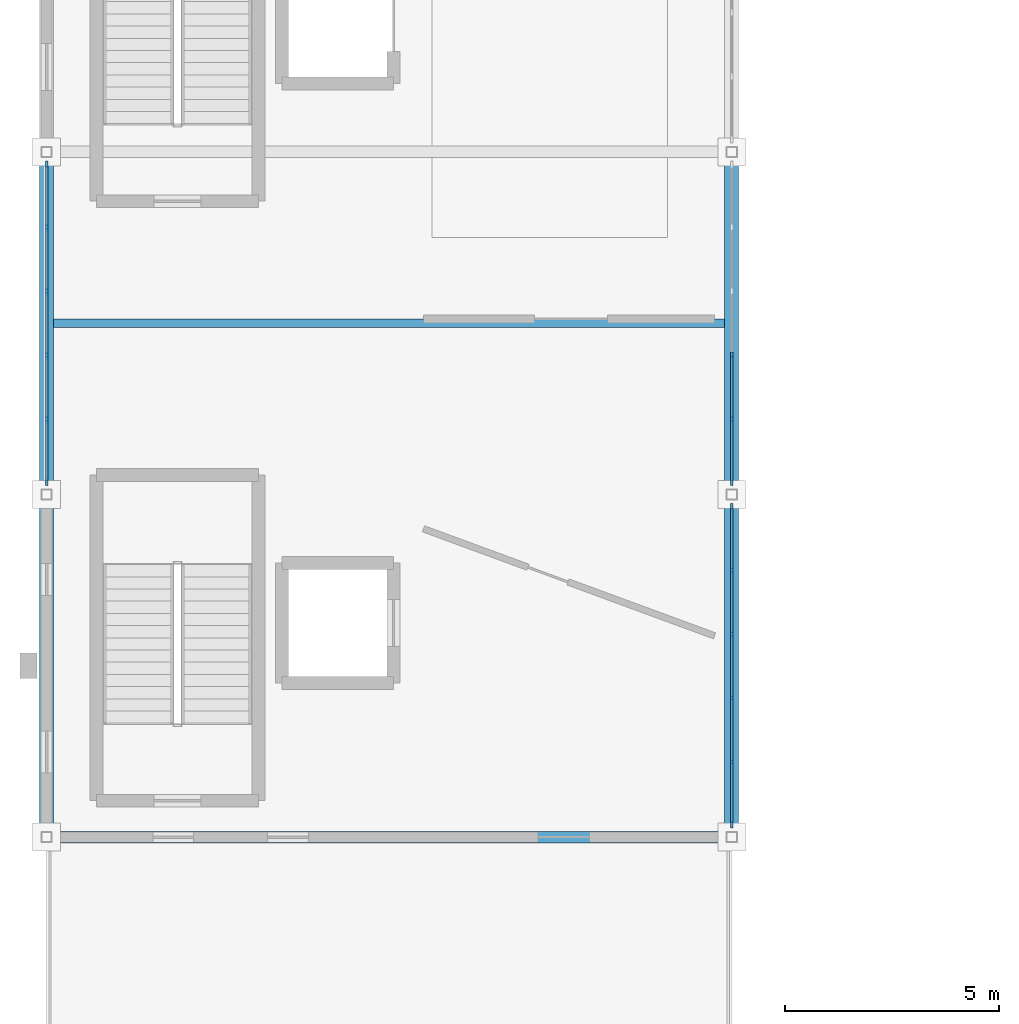
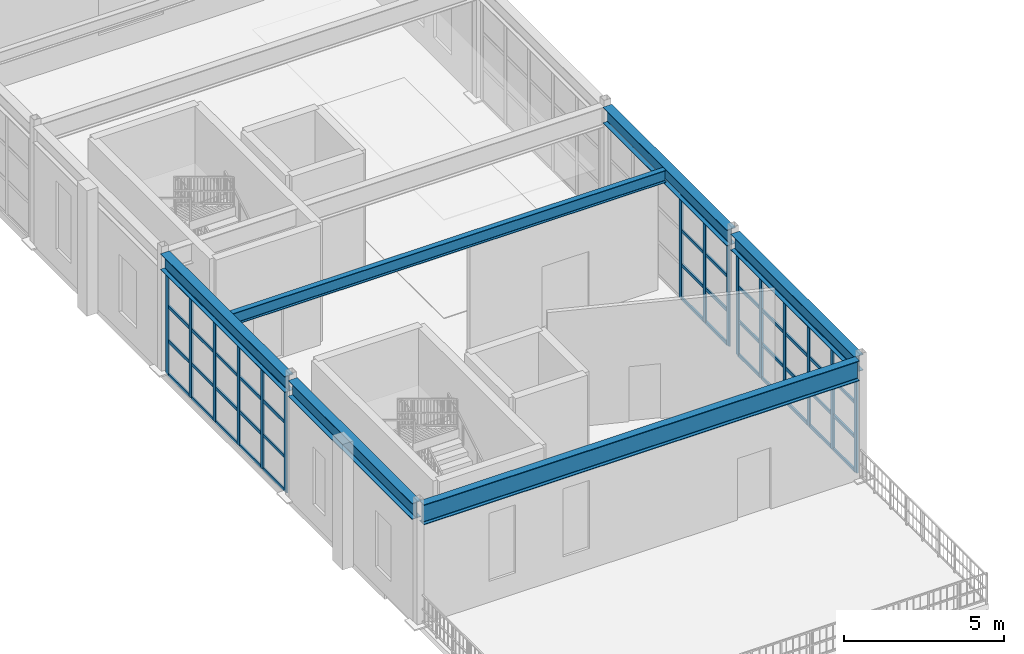
# One storey, part 10 of 61: 63 members, 6 beams, 3 elements without a shape of their own.
"""IFC4 building model written with IfcOpenShell, lengths in metres."""

from ifc_helpers import new_model, si_unit, direction, frame, origin, origin_2d, place, context, subcontext, project, spatial, rectangle, i_section, extrude, material, material_profile, profile_set, type_object, element, aggregate, save


model = new_model("IFC4")

# Units and contexts
model_context = context("Model", 3, precision=1e-05, world=origin(), true_north=direction((0.0, 1.0)))
body_context = subcontext(model_context, "Body", "Model", "MODEL_VIEW")
ifc_project = project(units=[si_unit("LENGTHUNIT", "METRE"), si_unit("AREAUNIT", "SQUARE_METRE"), si_unit("VOLUMEUNIT", "CUBIC_METRE"), si_unit("PLANEANGLEUNIT", "RADIAN"), si_unit("MASSUNIT", "GRAM", prefix="KILO")], contexts=[model_context])

# Site, building, storey
site_placement = place(None, origin())
site = spatial("IfcSite", under=ifc_project, at=site_placement, CompositionType="ELEMENT")
building_placement = place(site_placement, origin())
building = spatial("IfcBuilding", under=site, at=building_placement, Name="Serraluz Foothill Cableway Terminal", CompositionType="ELEMENT")
storey_placement = place(building_placement, frame((0.0, 0.0, 15.0)))
storey = spatial("IfcBuildingStorey", under=building, at=storey_placement, Name="L03", CompositionType="ELEMENT", Elevation=15.0)

# Beams
ifc_material_1 = material(Name="Steel ASTM A992 Grade 50", Category="steel")
ifc_material_profile_1 = material_profile(ifc_material_1, i_section(OverallWidth=0.324951171875, OverallDepth=0.615966796875, WebThickness=0.013916015625, FlangeThickness=0.021484375, FilletRadius=0.01806640625, at=origin_2d()), Name="W24X117")
ifc_profile_set_1 = profile_set([ifc_material_profile_1], Name="Steel ASTM A992 Grade 50")
beam_type_1 = type_object("IfcBeamType", Name="TYP-BM-W24X117", PredefinedType="BEAM", material=ifc_profile_set_1)
for number, where, z_axis, x_axis, name in (
    (1, (0.0, 32.12109375, 4.251953125), (0.0, 1.0, 0.0), (-1.0, 0.0, 0.0), "Transverse Girder BM-Y-L03-0377"),
    (2, (0.0, 40.12109375, 4.251953125), (0.0, 1.0, 0.0), (-1.0, 0.0, 0.0), "Transverse Girder BM-Y-L03-0378"),
    (3, (16.0, 32.12109375, 4.251953125), (0.0, 1.0, 0.0), (-1.0, 0.0, 0.0), "Transverse Girder BM-Y-L03-0381"),
    (4, (16.0, 40.12109375, 4.251953125), (0.0, 1.0, 0.0), (-1.0, 0.0, 0.0), "Transverse Girder BM-Y-L03-0382"),
):
    element("IfcBeam", number, at=place(storey_placement, frame(where, z_axis=z_axis, x_axis=x_axis)), inside=storey, type_object=beam_type_1, Name=name, PredefinedType="BEAM", context=body_context, shape_type="SweptSolid", body=[
        extrude(i_section(OverallWidth=0.324951171875, OverallDepth=0.615966796875, WebThickness=0.013916015625, FlangeThickness=0.021484375, FilletRadius=0.01806640625, at=origin_2d()), origin(), (0.0, 0.0, 1.0), 7.7578125),
    ])
ifc_material_profile_2 = material_profile(ifc_material_1, i_section(OverallWidth=0.26806640625, OverallDepth=0.77001953125, WebThickness=0.015625, FlangeThickness=0.025390625, FilletRadius=0.02197265625, at=origin_2d()), Name="W30X132")
ifc_profile_set_2 = profile_set([ifc_material_profile_2], Name="Steel ASTM A992 Grade 50")
beam_type_2 = type_object("IfcBeamType", Name="TYP-BM-W30X132", PredefinedType="BEAM", material=ifc_profile_set_2)
beam_1_placement = place(storey_placement, frame((0.12109375, 32.0, 4.175048828125), z_axis=(1.0, 0.0, 0.0), x_axis=(0.0, 1.0, 0.0)))
element("IfcBeam", 5, at=beam_1_placement, inside=storey, type_object=beam_type_2, Name="Primary Girder BM-X-L03-0345", PredefinedType="BEAM", context=body_context, shape_type="SweptSolid", body=[
    extrude(i_section(OverallWidth=0.26806640625, OverallDepth=0.77001953125, WebThickness=0.015625, FlangeThickness=0.025390625, FilletRadius=0.02197265625, at=origin_2d()), origin(), (0.0, 0.0, 1.0), 15.7578125),
])

# Curtain wall, members
ifc_material_2 = material(Name="Architectural bronze alloy C28000", Category="aluminium")
curtain_wall_type_1 = type_object("IfcCurtainWallType", Name="TYP-CW-680X420", PredefinedType="NOTDEFINED", material=ifc_material_2)
curtain_wall_1_placement = place(storey_placement, origin())
curtain_wall_1 = element("IfcCurtainWall", 6, at=curtain_wall_1_placement, inside=storey, type_object=curtain_wall_type_1, Name="Ribbed Glazed Curtain Wall CW-V5E-L03-32", PredefinedType="NOTDEFINED")
ifc_material_profile_3 = material_profile(ifc_material_2, rectangle(XDim=0.06005859375, YDim=0.159912109375, at=origin_2d()), Name="ALU MULLION 60x160")
ifc_profile_set_3 = profile_set([ifc_material_profile_3], Name="Architectural bronze alloy C28000")
member_type_1 = type_object("IfcMemberType", Name="TYP-CW-MUL-60X160", PredefinedType="MULLION", material=ifc_profile_set_3)
member_1_placement = place(storey_placement, frame((16.0, 39.705078125, 0.0), z_axis=(0.0, 0.0, 1.0), x_axis=(1.0, 0.0, 0.0)))
member_1 = element("IfcMember", 7, at=member_1_placement, type_object=member_type_1, Name="CW-13 mullion 1", PredefinedType="MULLION", context=body_context, shape_type="SweptSolid", body=[
    extrude(rectangle(XDim=0.06005859375, YDim=0.159912109375, at=origin_2d()), origin(), (0.0, 0.0, 1.0), 3.944091796875),
])
member_2_placement = place(storey_placement, frame((16.0, 38.240966796875, 0.0), z_axis=(0.0, 0.0, 1.0), x_axis=(1.0, 0.0, 0.0)))
member_2 = element("IfcMember", 8, at=member_2_placement, type_object=member_type_1, Name="CW-13 mullion 2", PredefinedType="MULLION", context=body_context, shape_type="SweptSolid", body=[
    extrude(rectangle(XDim=0.06005859375, YDim=0.159912109375, at=origin_2d()), origin(), (0.0, 0.0, 1.0), 3.944091796875),
])
member_3_placement = place(storey_placement, frame((16.0, 36.7470703125, 0.0), z_axis=(0.0, 0.0, 1.0), x_axis=(1.0, 0.0, 0.0)))
member_3 = element("IfcMember", 9, at=member_3_placement, type_object=member_type_1, Name="CW-13 mullion 3", PredefinedType="MULLION", context=body_context, shape_type="SweptSolid", body=[
    extrude(rectangle(XDim=0.06005859375, YDim=0.159912109375, at=origin_2d()), origin(), (0.0, 0.0, 1.0), 3.944091796875),
])
member_4_placement = place(storey_placement, frame((16.0, 35.2529296875, 0.0), z_axis=(0.0, 0.0, 1.0), x_axis=(1.0, 0.0, 0.0)))
member_4 = element("IfcMember", 10, at=member_4_placement, type_object=member_type_1, Name="CW-13 mullion 4", PredefinedType="MULLION", context=body_context, shape_type="SweptSolid", body=[
    extrude(rectangle(XDim=0.06005859375, YDim=0.159912109375, at=origin_2d()), origin(), (0.0, 0.0, 1.0), 3.944091796875),
])
member_5_placement = place(storey_placement, frame((16.0, 33.759033203125, 0.0), z_axis=(0.0, 0.0, 1.0), x_axis=(1.0, 0.0, 0.0)))
member_5 = element("IfcMember", 11, at=member_5_placement, type_object=member_type_1, Name="CW-13 mullion 5", PredefinedType="MULLION", context=body_context, shape_type="SweptSolid", body=[
    extrude(rectangle(XDim=0.06005859375, YDim=0.159912109375, at=origin_2d()), origin(), (0.0, 0.0, 1.0), 3.944091796875),
])
member_6_placement = place(storey_placement, frame((16.0, 32.294921875, 0.0), z_axis=(0.0, 0.0, 1.0), x_axis=(1.0, 0.0, 0.0)))
member_6 = element("IfcMember", 12, at=member_6_placement, type_object=member_type_1, Name="CW-13 mullion 6", PredefinedType="MULLION", context=body_context, shape_type="SweptSolid", body=[
    extrude(rectangle(XDim=0.06005859375, YDim=0.159912109375, at=origin_2d()), origin(), (0.0, 0.0, 1.0), 3.944091796875),
])

curtain_wall_type_2 = type_object("IfcCurtainWallType", Name="TYP-CW-520X440", PredefinedType="NOTDEFINED", material=ifc_material_2)
curtain_wall_2_placement = place(storey_placement, origin())
curtain_wall_2 = element("IfcCurtainWall", 13, at=curtain_wall_2_placement, inside=storey, type_object=curtain_wall_type_2, Name="Ribbed Glazed Curtain Wall CW-V5W-L03-40", PredefinedType="NOTDEFINED")
member_7_placement = place(storey_placement, frame((0.0, 40.294921875, 0.0), z_axis=(0.0, 0.0, 1.0), x_axis=(-1.0, 0.0, 0.0)))
member_7 = element("IfcMember", 14, at=member_7_placement, type_object=member_type_1, Name="CW-08 mullion 1", PredefinedType="MULLION", context=body_context, shape_type="SweptSolid", body=[
    extrude(rectangle(XDim=0.06005859375, YDim=0.159912109375, at=origin_2d()), origin(), (0.0, 0.0, 1.0), 3.944091796875),
])
member_8_placement = place(storey_placement, frame((0.0, 41.759033203125, 0.0), z_axis=(0.0, 0.0, 1.0), x_axis=(-1.0, 0.0, 0.0)))
member_8 = element("IfcMember", 15, at=member_8_placement, type_object=member_type_1, Name="CW-08 mullion 2", PredefinedType="MULLION", context=body_context, shape_type="SweptSolid", body=[
    extrude(rectangle(XDim=0.06005859375, YDim=0.159912109375, at=origin_2d()), origin(), (0.0, 0.0, 1.0), 3.944091796875),
])
member_9_placement = place(storey_placement, frame((0.0, 43.2529296875, 0.0), z_axis=(0.0, 0.0, 1.0), x_axis=(-1.0, 0.0, 0.0)))
member_9 = element("IfcMember", 16, at=member_9_placement, type_object=member_type_1, Name="CW-08 mullion 3", PredefinedType="MULLION", context=body_context, shape_type="SweptSolid", body=[
    extrude(rectangle(XDim=0.06005859375, YDim=0.159912109375, at=origin_2d()), origin(), (0.0, 0.0, 1.0), 3.944091796875),
])
member_10_placement = place(storey_placement, frame((0.0, 44.7470703125, 0.0), z_axis=(0.0, 0.0, 1.0), x_axis=(-1.0, 0.0, 0.0)))
member_10 = element("IfcMember", 17, at=member_10_placement, type_object=member_type_1, Name="CW-08 mullion 4", PredefinedType="MULLION", context=body_context, shape_type="SweptSolid", body=[
    extrude(rectangle(XDim=0.06005859375, YDim=0.159912109375, at=origin_2d()), origin(), (0.0, 0.0, 1.0), 3.944091796875),
])
member_11_placement = place(storey_placement, frame((0.0, 46.240966796875, 0.0), z_axis=(0.0, 0.0, 1.0), x_axis=(-1.0, 0.0, 0.0)))
member_11 = element("IfcMember", 18, at=member_11_placement, type_object=member_type_1, Name="CW-08 mullion 5", PredefinedType="MULLION", context=body_context, shape_type="SweptSolid", body=[
    extrude(rectangle(XDim=0.06005859375, YDim=0.159912109375, at=origin_2d()), origin(), (0.0, 0.0, 1.0), 3.944091796875),
])
member_12_placement = place(storey_placement, frame((0.0, 47.705078125, 0.0), z_axis=(0.0, 0.0, 1.0), x_axis=(-1.0, 0.0, 0.0)))
member_12 = element("IfcMember", 19, at=member_12_placement, type_object=member_type_1, Name="CW-08 mullion 6", PredefinedType="MULLION", context=body_context, shape_type="SweptSolid", body=[
    extrude(rectangle(XDim=0.06005859375, YDim=0.159912109375, at=origin_2d()), origin(), (0.0, 0.0, 1.0), 3.944091796875),
])

curtain_wall_type_3 = type_object("IfcCurtainWallType", Name="TYP-CW-480X380", PredefinedType="NOTDEFINED", material=ifc_material_2)
curtain_wall_3_placement = place(storey_placement, origin())
curtain_wall_3 = element("IfcCurtainWall", 20, at=curtain_wall_3_placement, inside=storey, type_object=curtain_wall_type_3, Name="Ribbed Glazed Curtain Wall CW-V5E-L03-40", PredefinedType="NOTDEFINED")
member_13_placement = place(storey_placement, frame((16.0, 43.2529296875, 0.0), z_axis=(0.0, 0.0, 1.0), x_axis=(1.0, 0.0, 0.0)))
member_13 = element("IfcMember", 21, at=member_13_placement, type_object=member_type_1, Name="CW-14 mullion 4", PredefinedType="MULLION", context=body_context, shape_type="SweptSolid", body=[
    extrude(rectangle(XDim=0.06005859375, YDim=0.159912109375, at=origin_2d()), origin(), (0.0, 0.0, 1.0), 3.944091796875),
])
member_14_placement = place(storey_placement, frame((16.0, 41.759033203125, 0.0), z_axis=(0.0, 0.0, 1.0), x_axis=(1.0, 0.0, 0.0)))
member_14 = element("IfcMember", 22, at=member_14_placement, type_object=member_type_1, Name="CW-14 mullion 5", PredefinedType="MULLION", context=body_context, shape_type="SweptSolid", body=[
    extrude(rectangle(XDim=0.06005859375, YDim=0.159912109375, at=origin_2d()), origin(), (0.0, 0.0, 1.0), 3.944091796875),
])
member_15_placement = place(storey_placement, frame((16.0, 40.294921875, 0.0), z_axis=(0.0, 0.0, 1.0), x_axis=(1.0, 0.0, 0.0)))
member_15 = element("IfcMember", 23, at=member_15_placement, type_object=member_type_1, Name="CW-14 mullion 6", PredefinedType="MULLION", context=body_context, shape_type="SweptSolid", body=[
    extrude(rectangle(XDim=0.06005859375, YDim=0.159912109375, at=origin_2d()), origin(), (0.0, 0.0, 1.0), 3.944091796875),
])

# Member
ifc_material_profile_4 = material_profile(ifc_material_2, rectangle(XDim=0.06005859375, YDim=0.1201171875, at=origin_2d()), Name="ALU TRANSOM 60x120")
ifc_profile_set_4 = profile_set([ifc_material_profile_4], Name="Architectural bronze alloy C28000")
member_type_2 = type_object("IfcMemberType", Name="TYP-CW-TRN-60X120", PredefinedType="USERDEFINED", material=ifc_profile_set_4)
member_16_placement = place(storey_placement, frame((16.0, 39.675048828125, 0.030029296875), z_axis=(0.0, -1.0, 0.0), x_axis=(1.0, 0.0, 0.0)))
member_16 = element("IfcMember", 24, at=member_16_placement, type_object=member_type_2, Name="CW-13 transom 1.1", ObjectType="TRANSOM", PredefinedType="USERDEFINED", context=body_context, shape_type="SweptSolid", body=[
    extrude(rectangle(XDim=0.06005859375, YDim=0.1201171875, at=origin_2d()), origin(), (0.0, 0.0, 1.0), 1.404052734375),
])

member_17_placement = place(storey_placement, frame((16.0, 39.675048828125, 1.314697265625), z_axis=(0.0, -1.0, 0.0), x_axis=(1.0, 0.0, 0.0)))
member_17 = element("IfcMember", 25, at=member_17_placement, type_object=member_type_2, Name="CW-13 transom 1.2", ObjectType="TRANSOM", PredefinedType="USERDEFINED", context=body_context, shape_type="SweptSolid", body=[
    extrude(rectangle(XDim=0.06005859375, YDim=0.1201171875, at=origin_2d()), origin(), (0.0, 0.0, 1.0), 1.404052734375),
])

member_18_placement = place(storey_placement, frame((16.0, 39.675048828125, 2.62939453125), z_axis=(0.0, -1.0, 0.0), x_axis=(1.0, 0.0, 0.0)))
member_18 = element("IfcMember", 26, at=member_18_placement, type_object=member_type_2, Name="CW-13 transom 1.3", ObjectType="TRANSOM", PredefinedType="USERDEFINED", context=body_context, shape_type="SweptSolid", body=[
    extrude(rectangle(XDim=0.06005859375, YDim=0.1201171875, at=origin_2d()), origin(), (0.0, 0.0, 1.0), 1.404052734375),
])

member_19_placement = place(storey_placement, frame((16.0, 39.675048828125, 3.9140625), z_axis=(0.0, -1.0, 0.0), x_axis=(1.0, 0.0, 0.0)))
member_19 = element("IfcMember", 27, at=member_19_placement, type_object=member_type_2, Name="CW-13 transom 1.4", ObjectType="TRANSOM", PredefinedType="USERDEFINED", context=body_context, shape_type="SweptSolid", body=[
    extrude(rectangle(XDim=0.06005859375, YDim=0.1201171875, at=origin_2d()), origin(), (0.0, 0.0, 1.0), 1.404052734375),
])

member_20_placement = place(storey_placement, frame((16.0, 38.2109375, 0.030029296875), z_axis=(0.0, -1.0, 0.0), x_axis=(1.0, 0.0, 0.0)))
member_20 = element("IfcMember", 28, at=member_20_placement, type_object=member_type_2, Name="CW-13 transom 2.1", ObjectType="TRANSOM", PredefinedType="USERDEFINED", context=body_context, shape_type="SweptSolid", body=[
    extrude(rectangle(XDim=0.06005859375, YDim=0.1201171875, at=origin_2d()), origin(), (0.0, 0.0, 1.0), 1.433837890625),
])

member_21_placement = place(storey_placement, frame((16.0, 38.2109375, 1.314697265625), z_axis=(0.0, -1.0, 0.0), x_axis=(1.0, 0.0, 0.0)))
member_21 = element("IfcMember", 29, at=member_21_placement, type_object=member_type_2, Name="CW-13 transom 2.2", ObjectType="TRANSOM", PredefinedType="USERDEFINED", context=body_context, shape_type="SweptSolid", body=[
    extrude(rectangle(XDim=0.06005859375, YDim=0.1201171875, at=origin_2d()), origin(), (0.0, 0.0, 1.0), 1.433837890625),
])

member_22_placement = place(storey_placement, frame((16.0, 38.2109375, 2.62939453125), z_axis=(0.0, -1.0, 0.0), x_axis=(1.0, 0.0, 0.0)))
member_22 = element("IfcMember", 30, at=member_22_placement, type_object=member_type_2, Name="CW-13 transom 2.3", ObjectType="TRANSOM", PredefinedType="USERDEFINED", context=body_context, shape_type="SweptSolid", body=[
    extrude(rectangle(XDim=0.06005859375, YDim=0.1201171875, at=origin_2d()), origin(), (0.0, 0.0, 1.0), 1.433837890625),
])

member_23_placement = place(storey_placement, frame((16.0, 38.2109375, 3.9140625), z_axis=(0.0, -1.0, 0.0), x_axis=(1.0, 0.0, 0.0)))
member_23 = element("IfcMember", 31, at=member_23_placement, type_object=member_type_2, Name="CW-13 transom 2.4", ObjectType="TRANSOM", PredefinedType="USERDEFINED", context=body_context, shape_type="SweptSolid", body=[
    extrude(rectangle(XDim=0.06005859375, YDim=0.1201171875, at=origin_2d()), origin(), (0.0, 0.0, 1.0), 1.433837890625),
])

member_24_placement = place(storey_placement, frame((16.0, 36.717041015625, 0.030029296875), z_axis=(0.0, -1.0, 0.0), x_axis=(1.0, 0.0, 0.0)))
member_24 = element("IfcMember", 32, at=member_24_placement, type_object=member_type_2, Name="CW-13 transom 3.1", ObjectType="TRANSOM", PredefinedType="USERDEFINED", context=body_context, shape_type="SweptSolid", body=[
    extrude(rectangle(XDim=0.06005859375, YDim=0.1201171875, at=origin_2d()), origin(), (0.0, 0.0, 1.0), 1.43408203125),
])

member_25_placement = place(storey_placement, frame((16.0, 36.717041015625, 1.314697265625), z_axis=(0.0, -1.0, 0.0), x_axis=(1.0, 0.0, 0.0)))
member_25 = element("IfcMember", 33, at=member_25_placement, type_object=member_type_2, Name="CW-13 transom 3.2", ObjectType="TRANSOM", PredefinedType="USERDEFINED", context=body_context, shape_type="SweptSolid", body=[
    extrude(rectangle(XDim=0.06005859375, YDim=0.1201171875, at=origin_2d()), origin(), (0.0, 0.0, 1.0), 1.43408203125),
])

member_26_placement = place(storey_placement, frame((16.0, 36.717041015625, 2.62939453125), z_axis=(0.0, -1.0, 0.0), x_axis=(1.0, 0.0, 0.0)))
member_26 = element("IfcMember", 34, at=member_26_placement, type_object=member_type_2, Name="CW-13 transom 3.3", ObjectType="TRANSOM", PredefinedType="USERDEFINED", context=body_context, shape_type="SweptSolid", body=[
    extrude(rectangle(XDim=0.06005859375, YDim=0.1201171875, at=origin_2d()), origin(), (0.0, 0.0, 1.0), 1.43408203125),
])

member_27_placement = place(storey_placement, frame((16.0, 36.717041015625, 3.9140625), z_axis=(0.0, -1.0, 0.0), x_axis=(1.0, 0.0, 0.0)))
member_27 = element("IfcMember", 35, at=member_27_placement, type_object=member_type_2, Name="CW-13 transom 3.4", ObjectType="TRANSOM", PredefinedType="USERDEFINED", context=body_context, shape_type="SweptSolid", body=[
    extrude(rectangle(XDim=0.06005859375, YDim=0.1201171875, at=origin_2d()), origin(), (0.0, 0.0, 1.0), 1.43408203125),
])

member_28_placement = place(storey_placement, frame((16.0, 35.222900390625, 0.030029296875), z_axis=(0.0, -1.0, 0.0), x_axis=(1.0, 0.0, 0.0)))
member_28 = element("IfcMember", 36, at=member_28_placement, type_object=member_type_2, Name="CW-13 transom 4.1", ObjectType="TRANSOM", PredefinedType="USERDEFINED", context=body_context, shape_type="SweptSolid", body=[
    extrude(rectangle(XDim=0.06005859375, YDim=0.1201171875, at=origin_2d()), origin(), (0.0, 0.0, 1.0), 1.433837890625),
])

member_29_placement = place(storey_placement, frame((16.0, 35.222900390625, 1.314697265625), z_axis=(0.0, -1.0, 0.0), x_axis=(1.0, 0.0, 0.0)))
member_29 = element("IfcMember", 37, at=member_29_placement, type_object=member_type_2, Name="CW-13 transom 4.2", ObjectType="TRANSOM", PredefinedType="USERDEFINED", context=body_context, shape_type="SweptSolid", body=[
    extrude(rectangle(XDim=0.06005859375, YDim=0.1201171875, at=origin_2d()), origin(), (0.0, 0.0, 1.0), 1.433837890625),
])

member_30_placement = place(storey_placement, frame((16.0, 35.222900390625, 2.62939453125), z_axis=(0.0, -1.0, 0.0), x_axis=(1.0, 0.0, 0.0)))
member_30 = element("IfcMember", 38, at=member_30_placement, type_object=member_type_2, Name="CW-13 transom 4.3", ObjectType="TRANSOM", PredefinedType="USERDEFINED", context=body_context, shape_type="SweptSolid", body=[
    extrude(rectangle(XDim=0.06005859375, YDim=0.1201171875, at=origin_2d()), origin(), (0.0, 0.0, 1.0), 1.433837890625),
])

member_31_placement = place(storey_placement, frame((16.0, 35.222900390625, 3.9140625), z_axis=(0.0, -1.0, 0.0), x_axis=(1.0, 0.0, 0.0)))
member_31 = element("IfcMember", 39, at=member_31_placement, type_object=member_type_2, Name="CW-13 transom 4.4", ObjectType="TRANSOM", PredefinedType="USERDEFINED", context=body_context, shape_type="SweptSolid", body=[
    extrude(rectangle(XDim=0.06005859375, YDim=0.1201171875, at=origin_2d()), origin(), (0.0, 0.0, 1.0), 1.433837890625),
])

member_32_placement = place(storey_placement, frame((16.0, 33.72900390625, 0.030029296875), z_axis=(0.0, -1.0, 0.0), x_axis=(1.0, 0.0, 0.0)))
member_32 = element("IfcMember", 40, at=member_32_placement, type_object=member_type_2, Name="CW-13 transom 5.1", ObjectType="TRANSOM", PredefinedType="USERDEFINED", context=body_context, shape_type="SweptSolid", body=[
    extrude(rectangle(XDim=0.06005859375, YDim=0.1201171875, at=origin_2d()), origin(), (0.0, 0.0, 1.0), 1.404052734375),
])

member_33_placement = place(storey_placement, frame((16.0, 33.72900390625, 1.314697265625), z_axis=(0.0, -1.0, 0.0), x_axis=(1.0, 0.0, 0.0)))
member_33 = element("IfcMember", 41, at=member_33_placement, type_object=member_type_2, Name="CW-13 transom 5.2", ObjectType="TRANSOM", PredefinedType="USERDEFINED", context=body_context, shape_type="SweptSolid", body=[
    extrude(rectangle(XDim=0.06005859375, YDim=0.1201171875, at=origin_2d()), origin(), (0.0, 0.0, 1.0), 1.404052734375),
])

member_34_placement = place(storey_placement, frame((16.0, 33.72900390625, 2.62939453125), z_axis=(0.0, -1.0, 0.0), x_axis=(1.0, 0.0, 0.0)))
member_34 = element("IfcMember", 42, at=member_34_placement, type_object=member_type_2, Name="CW-13 transom 5.3", ObjectType="TRANSOM", PredefinedType="USERDEFINED", context=body_context, shape_type="SweptSolid", body=[
    extrude(rectangle(XDim=0.06005859375, YDim=0.1201171875, at=origin_2d()), origin(), (0.0, 0.0, 1.0), 1.404052734375),
])

member_35_placement = place(storey_placement, frame((16.0, 33.72900390625, 3.9140625), z_axis=(0.0, -1.0, 0.0), x_axis=(1.0, 0.0, 0.0)))
member_35 = element("IfcMember", 43, at=member_35_placement, type_object=member_type_2, Name="CW-13 transom 5.4", ObjectType="TRANSOM", PredefinedType="USERDEFINED", context=body_context, shape_type="SweptSolid", body=[
    extrude(rectangle(XDim=0.06005859375, YDim=0.1201171875, at=origin_2d()), origin(), (0.0, 0.0, 1.0), 1.404052734375),
])

aggregate(curtain_wall_1, [member_1, member_2, member_3, member_4, member_5, member_6, member_16, member_17, member_18, member_19, member_20, member_21, member_22, member_23, member_24, member_25, member_26, member_27, member_28, member_29, member_30, member_31, member_32, member_33, member_34, member_35])

member_36_placement = place(storey_placement, frame((0.0, 40.324951171875, 0.030029296875), z_axis=(0.0, 1.0, 0.0), x_axis=(-1.0, 0.0, 0.0)))
member_36 = element("IfcMember", 44, at=member_36_placement, type_object=member_type_2, Name="CW-08 transom 1.1", ObjectType="TRANSOM", PredefinedType="USERDEFINED", context=body_context, shape_type="SweptSolid", body=[
    extrude(rectangle(XDim=0.06005859375, YDim=0.1201171875, at=origin_2d()), origin(), (0.0, 0.0, 1.0), 1.404052734375),
])

member_37_placement = place(storey_placement, frame((0.0, 40.324951171875, 1.314697265625), z_axis=(0.0, 1.0, 0.0), x_axis=(-1.0, 0.0, 0.0)))
member_37 = element("IfcMember", 45, at=member_37_placement, type_object=member_type_2, Name="CW-08 transom 1.2", ObjectType="TRANSOM", PredefinedType="USERDEFINED", context=body_context, shape_type="SweptSolid", body=[
    extrude(rectangle(XDim=0.06005859375, YDim=0.1201171875, at=origin_2d()), origin(), (0.0, 0.0, 1.0), 1.404052734375),
])

member_38_placement = place(storey_placement, frame((0.0, 40.324951171875, 2.62939453125), z_axis=(0.0, 1.0, 0.0), x_axis=(-1.0, 0.0, 0.0)))
member_38 = element("IfcMember", 46, at=member_38_placement, type_object=member_type_2, Name="CW-08 transom 1.3", ObjectType="TRANSOM", PredefinedType="USERDEFINED", context=body_context, shape_type="SweptSolid", body=[
    extrude(rectangle(XDim=0.06005859375, YDim=0.1201171875, at=origin_2d()), origin(), (0.0, 0.0, 1.0), 1.404052734375),
])

member_39_placement = place(storey_placement, frame((0.0, 40.324951171875, 3.9140625), z_axis=(0.0, 1.0, 0.0), x_axis=(-1.0, 0.0, 0.0)))
member_39 = element("IfcMember", 47, at=member_39_placement, type_object=member_type_2, Name="CW-08 transom 1.4", ObjectType="TRANSOM", PredefinedType="USERDEFINED", context=body_context, shape_type="SweptSolid", body=[
    extrude(rectangle(XDim=0.06005859375, YDim=0.1201171875, at=origin_2d()), origin(), (0.0, 0.0, 1.0), 1.404052734375),
])

member_40_placement = place(storey_placement, frame((0.0, 41.7890625, 0.030029296875), z_axis=(0.0, 1.0, 0.0), x_axis=(-1.0, 0.0, 0.0)))
member_40 = element("IfcMember", 48, at=member_40_placement, type_object=member_type_2, Name="CW-08 transom 2.1", ObjectType="TRANSOM", PredefinedType="USERDEFINED", context=body_context, shape_type="SweptSolid", body=[
    extrude(rectangle(XDim=0.06005859375, YDim=0.1201171875, at=origin_2d()), origin(), (0.0, 0.0, 1.0), 1.433837890625),
])

member_41_placement = place(storey_placement, frame((0.0, 41.7890625, 1.314697265625), z_axis=(0.0, 1.0, 0.0), x_axis=(-1.0, 0.0, 0.0)))
member_41 = element("IfcMember", 49, at=member_41_placement, type_object=member_type_2, Name="CW-08 transom 2.2", ObjectType="TRANSOM", PredefinedType="USERDEFINED", context=body_context, shape_type="SweptSolid", body=[
    extrude(rectangle(XDim=0.06005859375, YDim=0.1201171875, at=origin_2d()), origin(), (0.0, 0.0, 1.0), 1.433837890625),
])

member_42_placement = place(storey_placement, frame((0.0, 41.7890625, 2.62939453125), z_axis=(0.0, 1.0, 0.0), x_axis=(-1.0, 0.0, 0.0)))
member_42 = element("IfcMember", 50, at=member_42_placement, type_object=member_type_2, Name="CW-08 transom 2.3", ObjectType="TRANSOM", PredefinedType="USERDEFINED", context=body_context, shape_type="SweptSolid", body=[
    extrude(rectangle(XDim=0.06005859375, YDim=0.1201171875, at=origin_2d()), origin(), (0.0, 0.0, 1.0), 1.433837890625),
])

member_43_placement = place(storey_placement, frame((0.0, 41.7890625, 3.9140625), z_axis=(0.0, 1.0, 0.0), x_axis=(-1.0, 0.0, 0.0)))
member_43 = element("IfcMember", 51, at=member_43_placement, type_object=member_type_2, Name="CW-08 transom 2.4", ObjectType="TRANSOM", PredefinedType="USERDEFINED", context=body_context, shape_type="SweptSolid", body=[
    extrude(rectangle(XDim=0.06005859375, YDim=0.1201171875, at=origin_2d()), origin(), (0.0, 0.0, 1.0), 1.433837890625),
])

member_44_placement = place(storey_placement, frame((0.0, 43.282958984375, 0.030029296875), z_axis=(0.0, 1.0, 0.0), x_axis=(-1.0, 0.0, 0.0)))
member_44 = element("IfcMember", 52, at=member_44_placement, type_object=member_type_2, Name="CW-08 transom 3.1", ObjectType="TRANSOM", PredefinedType="USERDEFINED", context=body_context, shape_type="SweptSolid", body=[
    extrude(rectangle(XDim=0.06005859375, YDim=0.1201171875, at=origin_2d()), origin(), (0.0, 0.0, 1.0), 1.43408203125),
])

member_45_placement = place(storey_placement, frame((0.0, 43.282958984375, 1.314697265625), z_axis=(0.0, 1.0, 0.0), x_axis=(-1.0, 0.0, 0.0)))
member_45 = element("IfcMember", 53, at=member_45_placement, type_object=member_type_2, Name="CW-08 transom 3.2", ObjectType="TRANSOM", PredefinedType="USERDEFINED", context=body_context, shape_type="SweptSolid", body=[
    extrude(rectangle(XDim=0.06005859375, YDim=0.1201171875, at=origin_2d()), origin(), (0.0, 0.0, 1.0), 1.43408203125),
])

member_46_placement = place(storey_placement, frame((0.0, 43.282958984375, 2.62939453125), z_axis=(0.0, 1.0, 0.0), x_axis=(-1.0, 0.0, 0.0)))
member_46 = element("IfcMember", 54, at=member_46_placement, type_object=member_type_2, Name="CW-08 transom 3.3", ObjectType="TRANSOM", PredefinedType="USERDEFINED", context=body_context, shape_type="SweptSolid", body=[
    extrude(rectangle(XDim=0.06005859375, YDim=0.1201171875, at=origin_2d()), origin(), (0.0, 0.0, 1.0), 1.43408203125),
])

member_47_placement = place(storey_placement, frame((0.0, 43.282958984375, 3.9140625), z_axis=(0.0, 1.0, 0.0), x_axis=(-1.0, 0.0, 0.0)))
member_47 = element("IfcMember", 55, at=member_47_placement, type_object=member_type_2, Name="CW-08 transom 3.4", ObjectType="TRANSOM", PredefinedType="USERDEFINED", context=body_context, shape_type="SweptSolid", body=[
    extrude(rectangle(XDim=0.06005859375, YDim=0.1201171875, at=origin_2d()), origin(), (0.0, 0.0, 1.0), 1.43408203125),
])

member_48_placement = place(storey_placement, frame((0.0, 44.777099609375, 0.030029296875), z_axis=(0.0, 1.0, 0.0), x_axis=(-1.0, 0.0, 0.0)))
member_48 = element("IfcMember", 56, at=member_48_placement, type_object=member_type_2, Name="CW-08 transom 4.1", ObjectType="TRANSOM", PredefinedType="USERDEFINED", context=body_context, shape_type="SweptSolid", body=[
    extrude(rectangle(XDim=0.06005859375, YDim=0.1201171875, at=origin_2d()), origin(), (0.0, 0.0, 1.0), 1.433837890625),
])

member_49_placement = place(storey_placement, frame((0.0, 44.777099609375, 1.314697265625), z_axis=(0.0, 1.0, 0.0), x_axis=(-1.0, 0.0, 0.0)))
member_49 = element("IfcMember", 57, at=member_49_placement, type_object=member_type_2, Name="CW-08 transom 4.2", ObjectType="TRANSOM", PredefinedType="USERDEFINED", context=body_context, shape_type="SweptSolid", body=[
    extrude(rectangle(XDim=0.06005859375, YDim=0.1201171875, at=origin_2d()), origin(), (0.0, 0.0, 1.0), 1.433837890625),
])

member_50_placement = place(storey_placement, frame((0.0, 44.777099609375, 2.62939453125), z_axis=(0.0, 1.0, 0.0), x_axis=(-1.0, 0.0, 0.0)))
member_50 = element("IfcMember", 58, at=member_50_placement, type_object=member_type_2, Name="CW-08 transom 4.3", ObjectType="TRANSOM", PredefinedType="USERDEFINED", context=body_context, shape_type="SweptSolid", body=[
    extrude(rectangle(XDim=0.06005859375, YDim=0.1201171875, at=origin_2d()), origin(), (0.0, 0.0, 1.0), 1.433837890625),
])

member_51_placement = place(storey_placement, frame((0.0, 44.777099609375, 3.9140625), z_axis=(0.0, 1.0, 0.0), x_axis=(-1.0, 0.0, 0.0)))
member_51 = element("IfcMember", 59, at=member_51_placement, type_object=member_type_2, Name="CW-08 transom 4.4", ObjectType="TRANSOM", PredefinedType="USERDEFINED", context=body_context, shape_type="SweptSolid", body=[
    extrude(rectangle(XDim=0.06005859375, YDim=0.1201171875, at=origin_2d()), origin(), (0.0, 0.0, 1.0), 1.433837890625),
])

member_52_placement = place(storey_placement, frame((0.0, 46.27099609375, 0.030029296875), z_axis=(0.0, 1.0, 0.0), x_axis=(-1.0, 0.0, 0.0)))
member_52 = element("IfcMember", 60, at=member_52_placement, type_object=member_type_2, Name="CW-08 transom 5.1", ObjectType="TRANSOM", PredefinedType="USERDEFINED", context=body_context, shape_type="SweptSolid", body=[
    extrude(rectangle(XDim=0.06005859375, YDim=0.1201171875, at=origin_2d()), origin(), (0.0, 0.0, 1.0), 1.404052734375),
])

member_53_placement = place(storey_placement, frame((0.0, 46.27099609375, 1.314697265625), z_axis=(0.0, 1.0, 0.0), x_axis=(-1.0, 0.0, 0.0)))
member_53 = element("IfcMember", 61, at=member_53_placement, type_object=member_type_2, Name="CW-08 transom 5.2", ObjectType="TRANSOM", PredefinedType="USERDEFINED", context=body_context, shape_type="SweptSolid", body=[
    extrude(rectangle(XDim=0.06005859375, YDim=0.1201171875, at=origin_2d()), origin(), (0.0, 0.0, 1.0), 1.404052734375),
])

member_54_placement = place(storey_placement, frame((0.0, 46.27099609375, 2.62939453125), z_axis=(0.0, 1.0, 0.0), x_axis=(-1.0, 0.0, 0.0)))
member_54 = element("IfcMember", 62, at=member_54_placement, type_object=member_type_2, Name="CW-08 transom 5.3", ObjectType="TRANSOM", PredefinedType="USERDEFINED", context=body_context, shape_type="SweptSolid", body=[
    extrude(rectangle(XDim=0.06005859375, YDim=0.1201171875, at=origin_2d()), origin(), (0.0, 0.0, 1.0), 1.404052734375),
])

member_55_placement = place(storey_placement, frame((0.0, 46.27099609375, 3.9140625), z_axis=(0.0, 1.0, 0.0), x_axis=(-1.0, 0.0, 0.0)))
member_55 = element("IfcMember", 63, at=member_55_placement, type_object=member_type_2, Name="CW-08 transom 5.4", ObjectType="TRANSOM", PredefinedType="USERDEFINED", context=body_context, shape_type="SweptSolid", body=[
    extrude(rectangle(XDim=0.06005859375, YDim=0.1201171875, at=origin_2d()), origin(), (0.0, 0.0, 1.0), 1.404052734375),
])

aggregate(curtain_wall_2, [member_7, member_8, member_9, member_10, member_11, member_12, member_36, member_37, member_38, member_39, member_40, member_41, member_42, member_43, member_44, member_45, member_46, member_47, member_48, member_49, member_50, member_51, member_52, member_53, member_54, member_55])

member_56_placement = place(storey_placement, frame((16.0, 43.222900390625, 0.030029296875), z_axis=(0.0, -1.0, 0.0), x_axis=(1.0, 0.0, 0.0)))
member_56 = element("IfcMember", 64, at=member_56_placement, type_object=member_type_2, Name="CW-14 transom 4.1", ObjectType="TRANSOM", PredefinedType="USERDEFINED", context=body_context, shape_type="SweptSolid", body=[
    extrude(rectangle(XDim=0.06005859375, YDim=0.1201171875, at=origin_2d()), origin(), (0.0, 0.0, 1.0), 1.433837890625),
])

member_57_placement = place(storey_placement, frame((16.0, 43.222900390625, 1.314697265625), z_axis=(0.0, -1.0, 0.0), x_axis=(1.0, 0.0, 0.0)))
member_57 = element("IfcMember", 65, at=member_57_placement, type_object=member_type_2, Name="CW-14 transom 4.2", ObjectType="TRANSOM", PredefinedType="USERDEFINED", context=body_context, shape_type="SweptSolid", body=[
    extrude(rectangle(XDim=0.06005859375, YDim=0.1201171875, at=origin_2d()), origin(), (0.0, 0.0, 1.0), 1.433837890625),
])

member_58_placement = place(storey_placement, frame((16.0, 43.222900390625, 2.62939453125), z_axis=(0.0, -1.0, 0.0), x_axis=(1.0, 0.0, 0.0)))
member_58 = element("IfcMember", 66, at=member_58_placement, type_object=member_type_2, Name="CW-14 transom 4.3", ObjectType="TRANSOM", PredefinedType="USERDEFINED", context=body_context, shape_type="SweptSolid", body=[
    extrude(rectangle(XDim=0.06005859375, YDim=0.1201171875, at=origin_2d()), origin(), (0.0, 0.0, 1.0), 1.433837890625),
])

member_59_placement = place(storey_placement, frame((16.0, 43.222900390625, 3.9140625), z_axis=(0.0, -1.0, 0.0), x_axis=(1.0, 0.0, 0.0)))
member_59 = element("IfcMember", 67, at=member_59_placement, type_object=member_type_2, Name="CW-14 transom 4.4", ObjectType="TRANSOM", PredefinedType="USERDEFINED", context=body_context, shape_type="SweptSolid", body=[
    extrude(rectangle(XDim=0.06005859375, YDim=0.1201171875, at=origin_2d()), origin(), (0.0, 0.0, 1.0), 1.433837890625),
])

member_60_placement = place(storey_placement, frame((16.0, 41.72900390625, 0.030029296875), z_axis=(0.0, -1.0, 0.0), x_axis=(1.0, 0.0, 0.0)))
member_60 = element("IfcMember", 68, at=member_60_placement, type_object=member_type_2, Name="CW-14 transom 5.1", ObjectType="TRANSOM", PredefinedType="USERDEFINED", context=body_context, shape_type="SweptSolid", body=[
    extrude(rectangle(XDim=0.06005859375, YDim=0.1201171875, at=origin_2d()), origin(), (0.0, 0.0, 1.0), 1.404052734375),
])

member_61_placement = place(storey_placement, frame((16.0, 41.72900390625, 1.314697265625), z_axis=(0.0, -1.0, 0.0), x_axis=(1.0, 0.0, 0.0)))
member_61 = element("IfcMember", 69, at=member_61_placement, type_object=member_type_2, Name="CW-14 transom 5.2", ObjectType="TRANSOM", PredefinedType="USERDEFINED", context=body_context, shape_type="SweptSolid", body=[
    extrude(rectangle(XDim=0.06005859375, YDim=0.1201171875, at=origin_2d()), origin(), (0.0, 0.0, 1.0), 1.404052734375),
])

member_62_placement = place(storey_placement, frame((16.0, 41.72900390625, 2.62939453125), z_axis=(0.0, -1.0, 0.0), x_axis=(1.0, 0.0, 0.0)))
member_62 = element("IfcMember", 70, at=member_62_placement, type_object=member_type_2, Name="CW-14 transom 5.3", ObjectType="TRANSOM", PredefinedType="USERDEFINED", context=body_context, shape_type="SweptSolid", body=[
    extrude(rectangle(XDim=0.06005859375, YDim=0.1201171875, at=origin_2d()), origin(), (0.0, 0.0, 1.0), 1.404052734375),
])

member_63_placement = place(storey_placement, frame((16.0, 41.72900390625, 3.9140625), z_axis=(0.0, -1.0, 0.0), x_axis=(1.0, 0.0, 0.0)))
member_63 = element("IfcMember", 71, at=member_63_placement, type_object=member_type_2, Name="CW-14 transom 5.4", ObjectType="TRANSOM", PredefinedType="USERDEFINED", context=body_context, shape_type="SweptSolid", body=[
    extrude(rectangle(XDim=0.06005859375, YDim=0.1201171875, at=origin_2d()), origin(), (0.0, 0.0, 1.0), 1.404052734375),
])

aggregate(curtain_wall_3, [member_13, member_14, member_15, member_56, member_57, member_58, member_59, member_60, member_61, member_62, member_63])

# Beam
ifc_material_profile_5 = material_profile(ifc_material_1, i_section(OverallWidth=0.193115234375, OverallDepth=0.467041015625, WebThickness=0.011474609375, FlangeThickness=0.01904296875, FilletRadius=0.014892578125, at=origin_2d()), Name="W18X65")
ifc_profile_set_5 = profile_set([ifc_material_profile_5], Name="Steel ASTM A992 Grade 50")
beam_type_3 = type_object("IfcBeamType", Name="TYP-JS-W18X65", PredefinedType="JOIST", material=ifc_profile_set_5)
beam_2_placement = place(storey_placement, frame((0.16748046875, 44.0, 4.326416015625), z_axis=(1.0, 0.0, 0.0), x_axis=(0.0, 1.0, 0.0)))
element("IfcBeam", 72, at=beam_2_placement, inside=storey, type_object=beam_type_3, Name="Secondary Floor Joist JS-L03-0137", PredefinedType="JOIST", context=body_context, shape_type="SweptSolid", body=[
    extrude(i_section(OverallWidth=0.193115234375, OverallDepth=0.467041015625, WebThickness=0.011474609375, FlangeThickness=0.01904296875, FilletRadius=0.014892578125, at=origin_2d()), origin(), (0.0, 0.0, 1.0), 15.6650390625),
])

save(model, "model.ifc")
